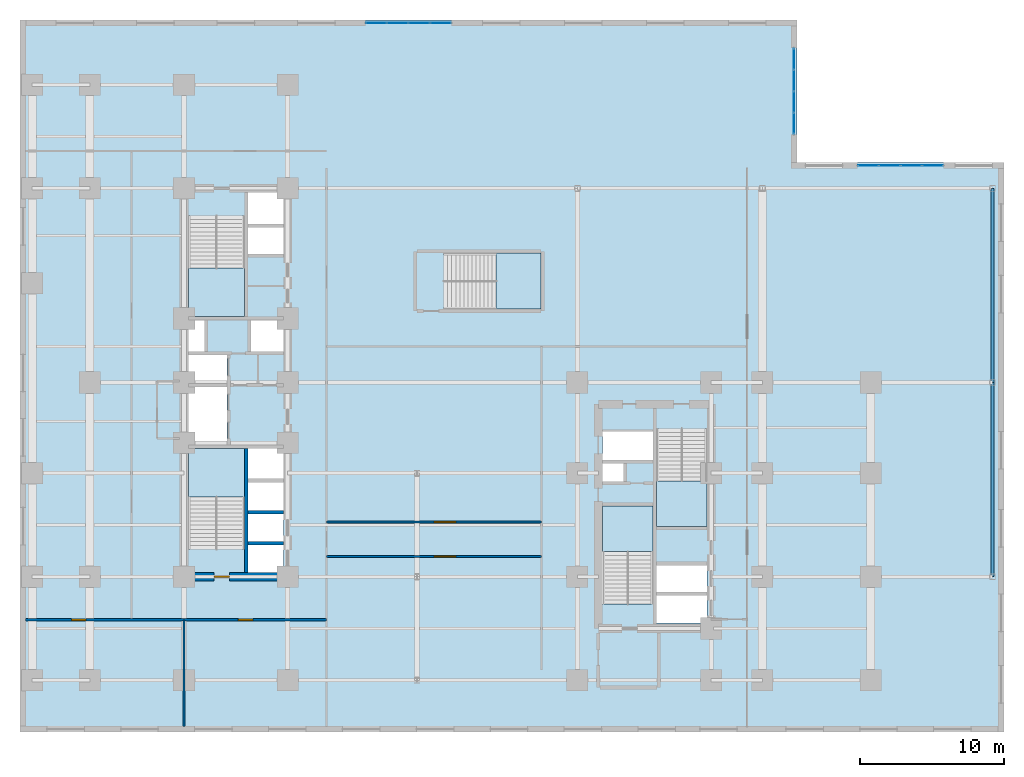
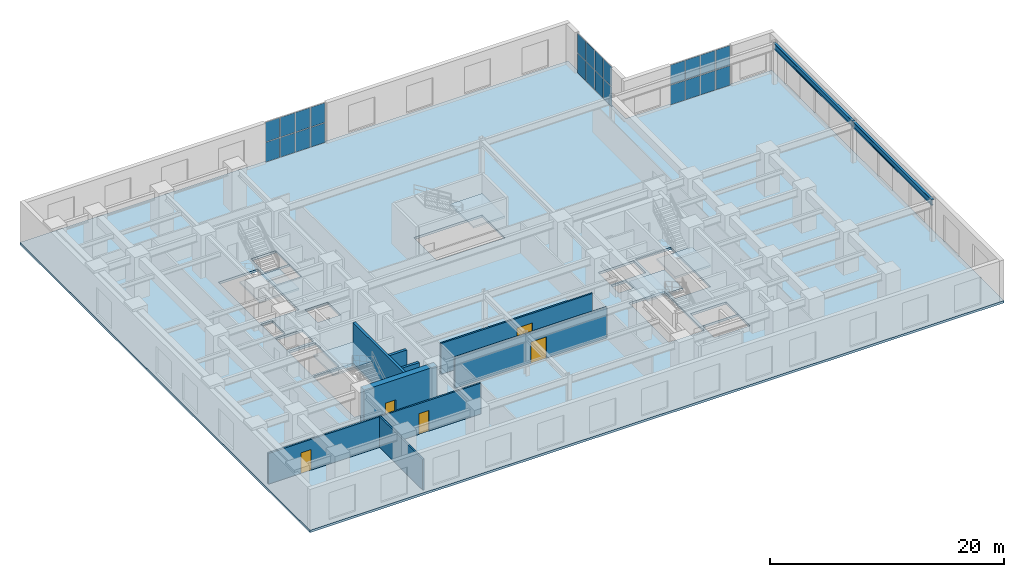
# One storey, part 8 of 15: 24 plates, 8 walls, 6 slabs, 5 doors, 2 beams, 5 openings, 8 elements without a shape of their own.
"""IFC4 building model written with IfcOpenShell, lengths in metres."""

from ifc_helpers import new_model, entity, si_unit, converted_unit, direction, frame, origin_with_axes, origin_2d_with_axis, place, context, subcontext, project, spatial, polyline, rectangle, i_section, outline, extrude, material, layer, layer_set, material_profile, profile_set, type_object, element, fill, aggregate, save


model = new_model("IFC4")

# Units and contexts
model_context = context("Model", 3, precision=1e-05, world=origin_with_axes(), true_north=direction((0.0, 1.0)))
body_context = subcontext(model_context, "Body", "Model", "MODEL_VIEW")
ifc_project = project(units=[si_unit("LENGTHUNIT", "METRE"), si_unit("AREAUNIT", "SQUARE_METRE"), si_unit("VOLUMEUNIT", "CUBIC_METRE"), converted_unit("PLANEANGLEUNIT", "DEGREE", entity("IfcPlaneAngleMeasure", 0.017453292519943295), si_unit("PLANEANGLEUNIT", "RADIAN"), dimensions=[0, 0, 0, 0, 0, 0, 0]), si_unit("MASSUNIT", "GRAM", prefix="KILO"), si_unit("THERMODYNAMICTEMPERATUREUNIT", "KELVIN")], contexts=[model_context])

# Site, building, storey
site_placement = place(None, origin_with_axes())
site = spatial("IfcSite", under=ifc_project, at=site_placement, CompositionType="ELEMENT")
building_placement = place(site_placement, origin_with_axes())
building = spatial("IfcBuilding", under=site, at=building_placement, Name="Varnlund Millrace Tower", CompositionType="ELEMENT")
storey_placement = place(building_placement, frame((0.0, 0.0, 15.3), z_axis=(0.0, 0.0, 1.0), x_axis=(1.0, 0.0, 0.0)))
storey = spatial("IfcBuildingStorey", under=building, at=storey_placement, Name="L03", CompositionType="ELEMENT", Elevation=15.3)

# Beams
ifc_material_1 = material(Name="Steel ASTM A992 Grade 50", Category="steel")
ifc_material_profile = material_profile(ifc_material_1, i_section(OverallWidth=0.228, OverallDepth=0.607, WebThickness=0.0112, FlangeThickness=0.0173, FilletRadius=0.015, at=origin_2d_with_axis()), Name="Steel ASTM A992 Grade 50")
ifc_profile_set = profile_set([ifc_material_profile], Name="Steel ASTM A992 Grade 50")
beam_type = type_object("IfcBeamType", Name="Type-Beam-W24X76", PredefinedType="BEAM", material=ifc_profile_set)
for number, where, z_axis, x_axis, name in (
    (1, (67.6, 10.8, 3.9565), (0.0, 1.0, 0.0), (-1.0, 0.0, 0.0), "Type-Beam-W24X76"),
    (2, (67.6, 24.3, 3.9565), (0.0, 1.0, 0.0), (-1.0, 0.0, 0.0), "Type-Beam-W24X76"),
):
    element("IfcBeam", number, at=place(storey_placement, frame(where, z_axis=z_axis, x_axis=x_axis)), inside=storey, type_object=beam_type, Name=name, PredefinedType="BEAM", context=body_context, shape_type="SweptSolid", body=[
        extrude(i_section(OverallWidth=0.228, OverallDepth=0.607, WebThickness=0.0112, FlangeThickness=0.0173, FilletRadius=0.015, at=origin_2d_with_axis()), origin_with_axes(), (0.0, 0.0, 1.0), 13.5),
    ])

# Curtain wall, plates
ifc_material_2 = material(Name="Thermally broken architectural bronze curtain wall", Category="aluminium")
curtain_wall_type = type_object("IfcCurtainWallType", Name="Type-CW-Sys3-PortalBridge", PredefinedType="NOTDEFINED", material=ifc_material_2)
curtain_wall_1_placement = place(storey_placement, frame((58.2, 39.39, 0.0), z_axis=(0.0, 0.0, 1.0), x_axis=(1.0, 0.0, 0.0)))
curtain_wall_1 = element("IfcCurtainWall", 3, at=curtain_wall_1_placement, inside=storey, type_object=curtain_wall_type, Name="Type-CW-Sys3-PortalBridge", PredefinedType="NOTDEFINED")
ifc_material_3 = material(Name="Low-e argon triple-glazed curtain-wall unit", Category="glass")
ifc_layer_1 = layer(ifc_material_3, 0.028, Name="Low-e argon triple-glazed curtain-wall unit")
ifc_layer_set_1 = layer_set([ifc_layer_1], Name="Low-e argon triple-glazed curtain-wall unit")
plate_type = type_object("IfcPlateType", Name="Type-CW-Panel-TripleGlazed-28", PredefinedType="CURTAIN_PANEL", material=ifc_layer_set_1)
plate_1_placement = place(storey_placement, frame((58.965, 39.39, 0.06), z_axis=(0.0, 0.0, 1.0), x_axis=(1.0, 0.0, 0.0)))
plate_1 = element("IfcPlate", 4, at=plate_1_placement, type_object=plate_type, Name="CW-03 panel 1.1", PredefinedType="CURTAIN_PANEL", context=body_context, shape_type="SweptSolid", body=[
    extrude(rectangle(XDim=1.41, YDim=0.028, at=origin_2d_with_axis()), origin_with_axes(), (0.0, 0.0, 1.0), 2.04),
])
plate_2_placement = place(storey_placement, frame((58.965, 39.39, 2.16), z_axis=(0.0, 0.0, 1.0), x_axis=(1.0, 0.0, 0.0)))
plate_2 = element("IfcPlate", 5, at=plate_2_placement, type_object=plate_type, Name="CW-03 panel 1.2", PredefinedType="CURTAIN_PANEL", context=body_context, shape_type="SweptSolid", body=[
    extrude(rectangle(XDim=1.41, YDim=0.028, at=origin_2d_with_axis()), origin_with_axes(), (0.0, 0.0, 1.0), 2.04),
])
plate_3_placement = place(storey_placement, frame((60.45, 39.39, 0.06), z_axis=(0.0, 0.0, 1.0), x_axis=(1.0, 0.0, 0.0)))
plate_3 = element("IfcPlate", 6, at=plate_3_placement, type_object=plate_type, Name="CW-03 panel 2.1", PredefinedType="CURTAIN_PANEL", context=body_context, shape_type="SweptSolid", body=[
    extrude(rectangle(XDim=1.44, YDim=0.028, at=origin_2d_with_axis()), origin_with_axes(), (0.0, 0.0, 1.0), 2.04),
])
plate_4_placement = place(storey_placement, frame((60.45, 39.39, 2.16), z_axis=(0.0, 0.0, 1.0), x_axis=(1.0, 0.0, 0.0)))
plate_4 = element("IfcPlate", 7, at=plate_4_placement, type_object=plate_type, Name="CW-03 panel 2.2", PredefinedType="CURTAIN_PANEL", context=body_context, shape_type="SweptSolid", body=[
    extrude(rectangle(XDim=1.44, YDim=0.028, at=origin_2d_with_axis()), origin_with_axes(), (0.0, 0.0, 1.0), 2.04),
])
plate_5_placement = place(storey_placement, frame((61.95, 39.39, 0.06), z_axis=(0.0, 0.0, 1.0), x_axis=(1.0, 0.0, 0.0)))
plate_5 = element("IfcPlate", 8, at=plate_5_placement, type_object=plate_type, Name="CW-03 panel 3.1", PredefinedType="CURTAIN_PANEL", context=body_context, shape_type="SweptSolid", body=[
    extrude(rectangle(XDim=1.44, YDim=0.028, at=origin_2d_with_axis()), origin_with_axes(), (0.0, 0.0, 1.0), 2.04),
])
plate_6_placement = place(storey_placement, frame((61.95, 39.39, 2.16), z_axis=(0.0, 0.0, 1.0), x_axis=(1.0, 0.0, 0.0)))
plate_6 = element("IfcPlate", 9, at=plate_6_placement, type_object=plate_type, Name="CW-03 panel 3.2", PredefinedType="CURTAIN_PANEL", context=body_context, shape_type="SweptSolid", body=[
    extrude(rectangle(XDim=1.44, YDim=0.028, at=origin_2d_with_axis()), origin_with_axes(), (0.0, 0.0, 1.0), 2.04),
])
plate_7_placement = place(storey_placement, frame((63.435, 39.39, 0.06), z_axis=(0.0, 0.0, 1.0), x_axis=(1.0, 0.0, 0.0)))
plate_7 = element("IfcPlate", 10, at=plate_7_placement, type_object=plate_type, Name="CW-03 panel 4.1", PredefinedType="CURTAIN_PANEL", context=body_context, shape_type="SweptSolid", body=[
    extrude(rectangle(XDim=1.41, YDim=0.028, at=origin_2d_with_axis()), origin_with_axes(), (0.0, 0.0, 1.0), 2.04),
])
plate_8_placement = place(storey_placement, frame((63.435, 39.39, 2.16), z_axis=(0.0, 0.0, 1.0), x_axis=(1.0, 0.0, 0.0)))
plate_8 = element("IfcPlate", 11, at=plate_8_placement, type_object=plate_type, Name="CW-03 panel 4.2", PredefinedType="CURTAIN_PANEL", context=body_context, shape_type="SweptSolid", body=[
    extrude(rectangle(XDim=1.41, YDim=0.028, at=origin_2d_with_axis()), origin_with_axes(), (0.0, 0.0, 1.0), 2.04),
])
aggregate(curtain_wall_1, [plate_1, plate_2, plate_3, plate_4, plate_5, plate_6, plate_7, plate_8])

curtain_wall_2_placement = place(storey_placement, frame((53.79, 47.55, 0.0), z_axis=(0.0, 0.0, 1.0), x_axis=(1.0, 0.0, 0.0)))
curtain_wall_2 = element("IfcCurtainWall", 12, at=curtain_wall_2_placement, inside=storey, type_object=curtain_wall_type, Name="Type-CW-Sys3-PortalBridge", PredefinedType="NOTDEFINED")
plate_9_placement = place(storey_placement, frame((53.79, 46.785, 0.06), z_axis=(0.0, 0.0, 1.0), x_axis=(0.0, -1.0, 0.0)))
plate_9 = element("IfcPlate", 13, at=plate_9_placement, type_object=plate_type, Name="CW-03 panel 1.1", PredefinedType="CURTAIN_PANEL", context=body_context, shape_type="SweptSolid", body=[
    extrude(rectangle(XDim=1.41, YDim=0.028, at=origin_2d_with_axis()), origin_with_axes(), (0.0, 0.0, 1.0), 2.04),
])
plate_10_placement = place(storey_placement, frame((53.79, 46.785, 2.16), z_axis=(0.0, 0.0, 1.0), x_axis=(0.0, -1.0, 0.0)))
plate_10 = element("IfcPlate", 14, at=plate_10_placement, type_object=plate_type, Name="CW-03 panel 1.2", PredefinedType="CURTAIN_PANEL", context=body_context, shape_type="SweptSolid", body=[
    extrude(rectangle(XDim=1.41, YDim=0.028, at=origin_2d_with_axis()), origin_with_axes(), (0.0, 0.0, 1.0), 2.04),
])
plate_11_placement = place(storey_placement, frame((53.79, 45.3, 0.06), z_axis=(0.0, 0.0, 1.0), x_axis=(0.0, -1.0, 0.0)))
plate_11 = element("IfcPlate", 15, at=plate_11_placement, type_object=plate_type, Name="CW-03 panel 2.1", PredefinedType="CURTAIN_PANEL", context=body_context, shape_type="SweptSolid", body=[
    extrude(rectangle(XDim=1.44, YDim=0.028, at=origin_2d_with_axis()), origin_with_axes(), (0.0, 0.0, 1.0), 2.04),
])
plate_12_placement = place(storey_placement, frame((53.79, 45.3, 2.16), z_axis=(0.0, 0.0, 1.0), x_axis=(0.0, -1.0, 0.0)))
plate_12 = element("IfcPlate", 16, at=plate_12_placement, type_object=plate_type, Name="CW-03 panel 2.2", PredefinedType="CURTAIN_PANEL", context=body_context, shape_type="SweptSolid", body=[
    extrude(rectangle(XDim=1.44, YDim=0.028, at=origin_2d_with_axis()), origin_with_axes(), (0.0, 0.0, 1.0), 2.04),
])
plate_13_placement = place(storey_placement, frame((53.79, 43.8, 0.06), z_axis=(0.0, 0.0, 1.0), x_axis=(0.0, -1.0, 0.0)))
plate_13 = element("IfcPlate", 17, at=plate_13_placement, type_object=plate_type, Name="CW-03 panel 3.1", PredefinedType="CURTAIN_PANEL", context=body_context, shape_type="SweptSolid", body=[
    extrude(rectangle(XDim=1.44, YDim=0.028, at=origin_2d_with_axis()), origin_with_axes(), (0.0, 0.0, 1.0), 2.04),
])
plate_14_placement = place(storey_placement, frame((53.79, 43.8, 2.16), z_axis=(0.0, 0.0, 1.0), x_axis=(0.0, -1.0, 0.0)))
plate_14 = element("IfcPlate", 18, at=plate_14_placement, type_object=plate_type, Name="CW-03 panel 3.2", PredefinedType="CURTAIN_PANEL", context=body_context, shape_type="SweptSolid", body=[
    extrude(rectangle(XDim=1.44, YDim=0.028, at=origin_2d_with_axis()), origin_with_axes(), (0.0, 0.0, 1.0), 2.04),
])
plate_15_placement = place(storey_placement, frame((53.79, 42.315, 0.06), z_axis=(0.0, 0.0, 1.0), x_axis=(0.0, -1.0, 0.0)))
plate_15 = element("IfcPlate", 19, at=plate_15_placement, type_object=plate_type, Name="CW-03 panel 4.1", PredefinedType="CURTAIN_PANEL", context=body_context, shape_type="SweptSolid", body=[
    extrude(rectangle(XDim=1.41, YDim=0.028, at=origin_2d_with_axis()), origin_with_axes(), (0.0, 0.0, 1.0), 2.04),
])
plate_16_placement = place(storey_placement, frame((53.79, 42.315, 2.16), z_axis=(0.0, 0.0, 1.0), x_axis=(0.0, -1.0, 0.0)))
plate_16 = element("IfcPlate", 20, at=plate_16_placement, type_object=plate_type, Name="CW-03 panel 4.2", PredefinedType="CURTAIN_PANEL", context=body_context, shape_type="SweptSolid", body=[
    extrude(rectangle(XDim=1.41, YDim=0.028, at=origin_2d_with_axis()), origin_with_axes(), (0.0, 0.0, 1.0), 2.04),
])
aggregate(curtain_wall_2, [plate_9, plate_10, plate_11, plate_12, plate_13, plate_14, plate_15, plate_16])

curtain_wall_3_placement = place(storey_placement, frame((24.0, 49.29, 0.0), z_axis=(0.0, 0.0, 1.0), x_axis=(1.0, 0.0, 0.0)))
curtain_wall_3 = element("IfcCurtainWall", 21, at=curtain_wall_3_placement, inside=storey, type_object=curtain_wall_type, Name="Type-CW-Sys3-PortalBridge", PredefinedType="NOTDEFINED")
plate_17_placement = place(storey_placement, frame((24.765, 49.29, 0.06), z_axis=(0.0, 0.0, 1.0), x_axis=(1.0, 0.0, 0.0)))
plate_17 = element("IfcPlate", 22, at=plate_17_placement, type_object=plate_type, Name="CW-03 panel 1.1", PredefinedType="CURTAIN_PANEL", context=body_context, shape_type="SweptSolid", body=[
    extrude(rectangle(XDim=1.41, YDim=0.028, at=origin_2d_with_axis()), origin_with_axes(), (0.0, 0.0, 1.0), 2.04),
])
plate_18_placement = place(storey_placement, frame((24.765, 49.29, 2.16), z_axis=(0.0, 0.0, 1.0), x_axis=(1.0, 0.0, 0.0)))
plate_18 = element("IfcPlate", 23, at=plate_18_placement, type_object=plate_type, Name="CW-03 panel 1.2", PredefinedType="CURTAIN_PANEL", context=body_context, shape_type="SweptSolid", body=[
    extrude(rectangle(XDim=1.41, YDim=0.028, at=origin_2d_with_axis()), origin_with_axes(), (0.0, 0.0, 1.0), 2.04),
])
plate_19_placement = place(storey_placement, frame((26.25, 49.29, 0.06), z_axis=(0.0, 0.0, 1.0), x_axis=(1.0, 0.0, 0.0)))
plate_19 = element("IfcPlate", 24, at=plate_19_placement, type_object=plate_type, Name="CW-03 panel 2.1", PredefinedType="CURTAIN_PANEL", context=body_context, shape_type="SweptSolid", body=[
    extrude(rectangle(XDim=1.44, YDim=0.028, at=origin_2d_with_axis()), origin_with_axes(), (0.0, 0.0, 1.0), 2.04),
])
plate_20_placement = place(storey_placement, frame((26.25, 49.29, 2.16), z_axis=(0.0, 0.0, 1.0), x_axis=(1.0, 0.0, 0.0)))
plate_20 = element("IfcPlate", 25, at=plate_20_placement, type_object=plate_type, Name="CW-03 panel 2.2", PredefinedType="CURTAIN_PANEL", context=body_context, shape_type="SweptSolid", body=[
    extrude(rectangle(XDim=1.44, YDim=0.028, at=origin_2d_with_axis()), origin_with_axes(), (0.0, 0.0, 1.0), 2.04),
])
plate_21_placement = place(storey_placement, frame((27.75, 49.29, 0.06), z_axis=(0.0, 0.0, 1.0), x_axis=(1.0, 0.0, 0.0)))
plate_21 = element("IfcPlate", 26, at=plate_21_placement, type_object=plate_type, Name="CW-03 panel 3.1", PredefinedType="CURTAIN_PANEL", context=body_context, shape_type="SweptSolid", body=[
    extrude(rectangle(XDim=1.44, YDim=0.028, at=origin_2d_with_axis()), origin_with_axes(), (0.0, 0.0, 1.0), 2.04),
])
plate_22_placement = place(storey_placement, frame((27.75, 49.29, 2.16), z_axis=(0.0, 0.0, 1.0), x_axis=(1.0, 0.0, 0.0)))
plate_22 = element("IfcPlate", 27, at=plate_22_placement, type_object=plate_type, Name="CW-03 panel 3.2", PredefinedType="CURTAIN_PANEL", context=body_context, shape_type="SweptSolid", body=[
    extrude(rectangle(XDim=1.44, YDim=0.028, at=origin_2d_with_axis()), origin_with_axes(), (0.0, 0.0, 1.0), 2.04),
])
plate_23_placement = place(storey_placement, frame((29.235, 49.29, 0.06), z_axis=(0.0, 0.0, 1.0), x_axis=(1.0, 0.0, 0.0)))
plate_23 = element("IfcPlate", 28, at=plate_23_placement, type_object=plate_type, Name="CW-03 panel 4.1", PredefinedType="CURTAIN_PANEL", context=body_context, shape_type="SweptSolid", body=[
    extrude(rectangle(XDim=1.41, YDim=0.028, at=origin_2d_with_axis()), origin_with_axes(), (0.0, 0.0, 1.0), 2.04),
])
plate_24_placement = place(storey_placement, frame((29.235, 49.29, 2.16), z_axis=(0.0, 0.0, 1.0), x_axis=(1.0, 0.0, 0.0)))
plate_24 = element("IfcPlate", 29, at=plate_24_placement, type_object=plate_type, Name="CW-03 panel 4.2", PredefinedType="CURTAIN_PANEL", context=body_context, shape_type="SweptSolid", body=[
    extrude(rectangle(XDim=1.41, YDim=0.028, at=origin_2d_with_axis()), origin_with_axes(), (0.0, 0.0, 1.0), 2.04),
])
aggregate(curtain_wall_3, [plate_17, plate_18, plate_19, plate_20, plate_21, plate_22, plate_23, plate_24])

# Slab
ifc_material_4 = material(Name="Concrete C60/75", Category="concrete")
ifc_layer_2 = layer(ifc_material_4, 0.24, Name="Concrete C60/75")
ifc_layer_set_2 = layer_set([ifc_layer_2], Name="Concrete C60/75")
slab_type_1 = type_object("IfcSlabType", Name="Type-Deck-Plate-Typical-240", PredefinedType="FLOOR", material=ifc_layer_set_2)
slab_1_placement = place(storey_placement, frame((0.0, 0.0, -0.24), z_axis=(0.0, 0.0, 1.0), x_axis=(1.0, 0.0, 0.0)))
element("IfcSlab", 30, at=slab_1_placement, inside=storey, type_object=slab_type_1, Name="Type-Deck-Plate-Typical-240", PredefinedType="FLOOR", context=body_context, shape_type="SweptSolid", body=[
    extrude(outline(polyline([(68.4, 39.6), (54.0, 39.6), (54.0, 49.5), (0.0, 49.5), (0.0, 0.0), (68.4, 0.0), (68.4, 39.6)]), holes=[polyline([(18.3, 11.1), (15.84, 11.1), (15.84, 13.1), (18.3, 13.1), (18.3, 11.1)]), polyline([(18.3, 13.16), (15.84, 13.16), (15.84, 15.24), (18.3, 15.24), (18.3, 13.16)]), polyline([(15.6, 12.715), (11.7, 12.715), (11.7, 19.7), (15.6, 19.7), (15.6, 12.715)]), polyline([(15.84, 15.34), (15.84, 17.46), (18.3, 17.46), (18.3, 15.34), (15.84, 15.34)]), polyline([(15.84, 17.52), (15.84, 19.7), (18.3, 19.7), (18.3, 17.52), (15.84, 17.52)]), polyline([(11.7, 23.98), (14.38, 23.98), (14.38, 19.94), (11.7, 19.94), (11.7, 23.98)]), polyline([(14.38, 24.24), (11.7, 24.24), (11.7, 26.2), (14.38, 26.2), (14.38, 24.24)]), polyline([(11.7, 26.46), (11.7, 28.65), (12.84, 28.65), (12.84, 26.46), (11.7, 26.46)]), polyline([(11.7, 28.9), (11.7, 35.885), (15.6, 35.885), (15.6, 28.9), (11.7, 28.9)]), polyline([(47.75, 7.6), (44.25, 7.6), (44.25, 9.6), (47.75, 9.6), (47.75, 7.6)]), polyline([(47.75, 9.66), (44.25, 9.66), (44.25, 11.68), (47.75, 11.68), (47.75, 9.66)]), polyline([(44.0, 8.915), (40.5, 8.915), (40.5, 15.7), (44.0, 15.7), (44.0, 8.915)]), polyline([(44.25, 14.3), (44.25, 21.085), (47.75, 21.085), (47.75, 14.3), (44.25, 14.3)]), polyline([(40.5, 17.42), (40.5, 18.72), (41.95, 18.72), (41.95, 17.42), (40.5, 17.42)]), polyline([(44.0, 18.88), (40.5, 18.88), (40.5, 20.94), (44.0, 20.94), (44.0, 18.88)]), polyline([(18.3, 26.46), (16.04, 26.46), (16.04, 28.65), (18.3, 28.65), (18.3, 26.46)]), polyline([(36.2, 29.4), (29.465, 29.4), (29.465, 33.3), (36.2, 33.3), (36.2, 29.4)]), polyline([(15.84, 33.12), (15.84, 35.18), (18.3, 35.18), (18.3, 33.12), (15.84, 33.12)]), polyline([(15.84, 35.22), (15.84, 37.5), (18.3, 37.5), (18.3, 35.22), (15.84, 35.22)])]), origin_with_axes(), (0.0, 0.0, 1.0), 0.24),
])

# Stair, slab
ifc_material_5 = material(Name="Concrete C50/60", Category="concrete")
stair_type_1 = type_object("IfcStairType", Name="Type-Stair-Dogleg-185-450", PredefinedType="HALF_TURN_STAIR", material=ifc_material_5)
stair_1_placement = place(storey_placement, origin_with_axes())
stair_1 = element("IfcStair", 31, at=stair_1_placement, inside=storey, type_object=stair_type_1, Name="Type-Stair-Dogleg-185-450", PredefinedType="HALF_TURN_STAIR")
ifc_layer_3 = layer(ifc_material_5, 0.2, Name="Concrete C50/60")
ifc_layer_set_3 = layer_set([ifc_layer_3], Name="Concrete C50/60")
slab_type_2 = type_object("IfcSlabType", Name="Type-StairLanding-200", PredefinedType="LANDING", material=ifc_layer_set_3)
slab_2_placement = place(storey_placement, frame((0.0, 0.0, 2.05), z_axis=(0.0, 0.0, 1.0), x_axis=(1.0, 0.0, 0.0)))
slab_2 = element("IfcSlab", 32, at=slab_2_placement, type_object=slab_type_2, Name="ST-A1 landing 1", PredefinedType="LANDING", context=body_context, shape_type="SweptSolid", body=[
    extrude(outline(polyline([(15.6, 16.34), (15.6, 19.7), (11.7, 19.7), (11.7, 16.34), (15.6, 16.34)])), origin_with_axes(), (0.0, 0.0, 1.0), 0.2),
])
aggregate(stair_1, [slab_2])

stair_2_placement = place(storey_placement, origin_with_axes())
stair_2 = element("IfcStair", 33, at=stair_2_placement, inside=storey, type_object=stair_type_1, Name="Type-Stair-Dogleg-185-450", PredefinedType="HALF_TURN_STAIR")
slab_3_placement = place(storey_placement, frame((0.0, 0.0, 2.05), z_axis=(0.0, 0.0, 1.0), x_axis=(1.0, 0.0, 0.0)))
slab_3 = element("IfcSlab", 34, at=slab_3_placement, type_object=slab_type_2, Name="ST-A2 landing 1", PredefinedType="LANDING", context=body_context, shape_type="SweptSolid", body=[
    extrude(outline(polyline([(11.7, 32.26), (11.7, 28.9), (15.6, 28.9), (15.6, 32.26), (11.7, 32.26)])), origin_with_axes(), (0.0, 0.0, 1.0), 0.2),
])
aggregate(stair_2, [slab_3])

stair_type_2 = type_object("IfcStairType", Name="Type-Stair-Dogleg-165-450", PredefinedType="HALF_TURN_STAIR", material=ifc_material_5)
stair_3_placement = place(storey_placement, origin_with_axes())
stair_3 = element("IfcStair", 35, at=stair_3_placement, inside=storey, type_object=stair_type_2, Name="Type-Stair-Dogleg-165-450", PredefinedType="HALF_TURN_STAIR")
slab_4_placement = place(storey_placement, frame((0.0, 0.0, 2.05), z_axis=(0.0, 0.0, 1.0), x_axis=(1.0, 0.0, 0.0)))
slab_4 = element("IfcSlab", 36, at=slab_4_placement, type_object=slab_type_2, Name="ST-B1 landing 1", PredefinedType="LANDING", context=body_context, shape_type="SweptSolid", body=[
    extrude(outline(polyline([(44.0, 12.54), (44.0, 15.7), (40.5, 15.7), (40.5, 12.54), (44.0, 12.54)])), origin_with_axes(), (0.0, 0.0, 1.0), 0.2),
])
aggregate(stair_3, [slab_4])

stair_4_placement = place(storey_placement, origin_with_axes())
stair_4 = element("IfcStair", 37, at=stair_4_placement, inside=storey, type_object=stair_type_2, Name="Type-Stair-Dogleg-165-450", PredefinedType="HALF_TURN_STAIR")
slab_5_placement = place(storey_placement, frame((0.0, 0.0, 2.05), z_axis=(0.0, 0.0, 1.0), x_axis=(1.0, 0.0, 0.0)))
slab_5 = element("IfcSlab", 38, at=slab_5_placement, type_object=slab_type_2, Name="ST-B2 landing 1", PredefinedType="LANDING", context=body_context, shape_type="SweptSolid", body=[
    extrude(outline(polyline([(44.25, 17.46), (44.25, 14.3), (47.75, 14.3), (47.75, 17.46), (44.25, 17.46)])), origin_with_axes(), (0.0, 0.0, 1.0), 0.2),
])
aggregate(stair_4, [slab_5])

stair_5_placement = place(storey_placement, origin_with_axes())
stair_5 = element("IfcStair", 39, at=stair_5_placement, inside=storey, type_object=stair_type_1, Name="Type-Stair-Dogleg-185-450", PredefinedType="HALF_TURN_STAIR")
slab_6_placement = place(storey_placement, frame((0.0, 0.0, 2.05), z_axis=(0.0, 0.0, 1.0), x_axis=(1.0, 0.0, 0.0)))
slab_6 = element("IfcSlab", 40, at=slab_6_placement, type_object=slab_type_2, Name="ST-P1 landing 1", PredefinedType="LANDING", context=body_context, shape_type="SweptSolid", body=[
    extrude(outline(polyline([(33.09, 29.4), (36.2, 29.4), (36.2, 33.3), (33.09, 33.3), (33.09, 29.4)])), origin_with_axes(), (0.0, 0.0, 1.0), 0.2),
])
aggregate(stair_5, [slab_6])

# Wall, opening, door
ifc_material_6 = material(Name="Concrete C80/95", Category="concrete")
ifc_layer_4 = layer(ifc_material_6, 0.6, Name="Concrete C80/95")
ifc_layer_set_4 = layer_set([ifc_layer_4], Name="Concrete C80/95")
wall_type_1 = type_object("IfcWallType", Name="Type-CoreWall-Shear-600-C80", PredefinedType="SHEAR", material=ifc_layer_set_4)
wall_1_placement = place(storey_placement, frame((11.4, 10.8, 0.0), z_axis=(0.0, 0.0, 1.0), x_axis=(1.0, 0.0, 0.0)))
wall_1 = element("IfcWall", 41, at=wall_1_placement, inside=storey, type_object=wall_type_1, Name="Type-CoreWall-Shear-600-C80", PredefinedType="SHEAR", context=body_context, shape_type="SweptSolid", body=[
    extrude(outline(polyline([(0.0, -0.3), (7.2, -0.3), (7.2, 0.3), (0.0, 0.3), (0.0, -0.3)])), origin_with_axes(), (0.0, 0.0, 1.0), 4.26),
])
opening_1_placement = place(wall_1_placement, frame((2.625, 0.0, 0.0), z_axis=(0.0, 0.0, 1.0), x_axis=(1.0, 0.0, 0.0)))
opening_1 = element("IfcOpeningElement", 42, at=opening_1_placement, cuts=wall_1, Name="Opening L03:DR-STA1", PredefinedType="OPENING", context=body_context, shape_type="SweptSolid", body=[
    extrude(rectangle(XDim=1.05, YDim=0.62, at=origin_2d_with_axis()), origin_with_axes(), (0.0, 0.0, 1.0), 2.15),
])
ifc_material_7 = material(Name="Fire-rated hollow steel door", Category="steel")
door_type_1 = type_object("IfcDoorType", Name="Type-FireDoor-Stair-1050X2150", OperationType="NOTDEFINED", PredefinedType="DOOR", material=ifc_material_7)
door_1_placement = place(wall_1_placement, frame((2.625, 0.0, 0.0), z_axis=(0.0, 0.0, 1.0), x_axis=(1.0, 0.0, 0.0)))
door_1 = element("IfcDoor", 43, at=door_1_placement, inside=storey, type_object=door_type_1, Name="Type-FireDoor-Stair-1050X2150", OperationType="SINGLE_SWING_LEFT", OverallHeight=2.15, OverallWidth=1.05, PredefinedType="DOOR", context=body_context, shape_type="SweptSolid", body=[
    extrude(rectangle(XDim=1.05, YDim=0.09, at=origin_2d_with_axis()), origin_with_axes(), (0.0, 0.0, 1.0), 2.15),
])
fill(opening_1, door_1)

# Wall, openings, doors
ifc_material_8 = material(Name="Fire-rated gypsum board on cold-formed steel framing", Category="steel")
ifc_layer_5 = layer(ifc_material_8, 0.16, Name="Fire-rated gypsum board on cold-formed steel framing")
ifc_layer_set_5 = layer_set([ifc_layer_5], Name="Fire-rated gypsum board on cold-formed steel framing")
wall_type_2 = type_object("IfcWallType", Name="Type-Partition-Corridor-160", PredefinedType="PARTITIONING", material=ifc_layer_set_5)
wall_2_placement = place(storey_placement, frame((0.38, 7.8, 0.0), z_axis=(0.0, 0.0, 1.0), x_axis=(1.0, 0.0, 0.0)))
wall_2 = element("IfcWall", 44, at=wall_2_placement, inside=storey, type_object=wall_type_2, Name="Type-Partition-Corridor-160", PredefinedType="PARTITIONING", context=body_context, shape_type="SweptSolid", body=[
    extrude(outline(polyline([(0.0, -0.08), (20.92, -0.08), (20.92, 0.08), (0.0, 0.08), (0.0, -0.08)])), origin_with_axes(), (0.0, 0.0, 1.0), 3.2),
])
opening_2_placement = place(wall_2_placement, frame((3.7, 0.0, 0.0), z_axis=(0.0, 0.0, 1.0), x_axis=(1.0, 0.0, 0.0)))
opening_2 = element("IfcOpeningElement", 45, at=opening_2_placement, cuts=wall_2, Name="Opening L03:DR-POD-SW1", PredefinedType="OPENING", context=body_context, shape_type="SweptSolid", body=[
    extrude(rectangle(XDim=1.0, YDim=0.18, at=origin_2d_with_axis()), origin_with_axes(), (0.0, 0.0, 1.0), 2.15),
])
opening_3_placement = place(wall_2_placement, frame((15.3, 0.0, 0.0), z_axis=(0.0, 0.0, 1.0), x_axis=(1.0, 0.0, 0.0)))
opening_3 = element("IfcOpeningElement", 46, at=opening_3_placement, cuts=wall_2, Name="Opening L03:DR-POD-SW2", PredefinedType="OPENING", context=body_context, shape_type="SweptSolid", body=[
    extrude(rectangle(XDim=1.0, YDim=0.18, at=origin_2d_with_axis()), origin_with_axes(), (0.0, 0.0, 1.0), 2.15),
])
ifc_material_9 = material(Name="Solid-core white oak and bronze frame door")
door_type_2 = type_object("IfcDoorType", Name="Type-IntDoor-Office-1000X2150", OperationType="NOTDEFINED", PredefinedType="DOOR", material=ifc_material_9)
door_2_placement = place(wall_2_placement, frame((3.7, 0.0, 0.0), z_axis=(0.0, 0.0, 1.0), x_axis=(1.0, 0.0, 0.0)))
door_2 = element("IfcDoor", 47, at=door_2_placement, inside=storey, type_object=door_type_2, Name="Type-IntDoor-Office-1000X2150", OperationType="SINGLE_SWING_LEFT", OverallHeight=2.15, OverallWidth=1.0, PredefinedType="DOOR", context=body_context, shape_type="SweptSolid", body=[
    extrude(rectangle(XDim=1.0, YDim=0.09, at=origin_2d_with_axis()), origin_with_axes(), (0.0, 0.0, 1.0), 2.15),
])
fill(opening_2, door_2)
door_3_placement = place(wall_2_placement, frame((15.3, 0.0, 0.0), z_axis=(0.0, 0.0, 1.0), x_axis=(1.0, 0.0, 0.0)))
door_3 = element("IfcDoor", 48, at=door_3_placement, inside=storey, type_object=door_type_2, Name="Type-IntDoor-Office-1000X2150", OperationType="SINGLE_SWING_RIGHT", OverallHeight=2.15, OverallWidth=1.0, PredefinedType="DOOR", context=body_context, shape_type="SweptSolid", body=[
    extrude(rectangle(XDim=1.0, YDim=0.09, at=origin_2d_with_axis()), origin_with_axes(), (0.0, 0.0, 1.0), 2.15),
])
fill(opening_3, door_3)

# Wall, opening, door
wall_3_placement = place(storey_placement, frame((21.3, 12.2, 0.0), z_axis=(0.0, 0.0, 1.0), x_axis=(1.0, 0.0, 0.0)))
wall_3 = element("IfcWall", 49, at=wall_3_placement, inside=storey, type_object=wall_type_2, Name="Type-Partition-Corridor-160", PredefinedType="PARTITIONING", context=body_context, shape_type="SweptSolid", body=[
    extrude(outline(polyline([(0.0, -0.08), (14.95, -0.08), (14.95, 0.08), (0.0, 0.08), (0.0, -0.08)])), origin_with_axes(), (0.0, 0.0, 1.0), 3.2),
])
opening_4_placement = place(wall_3_placement, frame((8.25, 0.0, 0.0), z_axis=(0.0, 0.0, 1.0), x_axis=(1.0, 0.0, 0.0)))
opening_4 = element("IfcOpeningElement", 50, at=opening_4_placement, cuts=wall_3, Name="Opening L03:DR-POD-E1S", PredefinedType="OPENING", context=body_context, shape_type="SweptSolid", body=[
    extrude(rectangle(XDim=1.5, YDim=0.18, at=origin_2d_with_axis()), origin_with_axes(), (0.0, 0.0, 1.0), 2.2),
])
ifc_material_10 = material(Name="Architectural bronze and acoustic glass double door", Category="glass")
door_type_3 = type_object("IfcDoorType", Name="Type-IntDoor-SuitePair-1500X2200", OperationType="NOTDEFINED", PredefinedType="DOOR", material=ifc_material_10)
door_4_placement = place(wall_3_placement, frame((8.25, 0.0, 0.0), z_axis=(0.0, 0.0, 1.0), x_axis=(1.0, 0.0, 0.0)))
door_4 = element("IfcDoor", 51, at=door_4_placement, inside=storey, type_object=door_type_3, Name="Type-IntDoor-SuitePair-1500X2200", OperationType="DOUBLE_DOOR_SINGLE_SWING", OverallHeight=2.2, OverallWidth=1.5, PredefinedType="DOOR", context=body_context, shape_type="SweptSolid", body=[
    extrude(rectangle(XDim=1.5, YDim=0.09, at=origin_2d_with_axis()), origin_with_axes(), (0.0, 0.0, 1.0), 2.2),
])
fill(opening_4, door_4)

wall_4_placement = place(storey_placement, frame((21.3, 14.6, 0.0), z_axis=(0.0, 0.0, 1.0), x_axis=(1.0, 0.0, 0.0)))
wall_4 = element("IfcWall", 52, at=wall_4_placement, inside=storey, type_object=wall_type_2, Name="Type-Partition-Corridor-160", PredefinedType="PARTITIONING", context=body_context, shape_type="SweptSolid", body=[
    extrude(outline(polyline([(0.0, -0.08), (14.95, -0.08), (14.95, 0.08), (0.0, 0.08), (0.0, -0.08)])), origin_with_axes(), (0.0, 0.0, 1.0), 3.2),
])
opening_5_placement = place(wall_4_placement, frame((8.25, 0.0, 0.0), z_axis=(0.0, 0.0, 1.0), x_axis=(1.0, 0.0, 0.0)))
opening_5 = element("IfcOpeningElement", 53, at=opening_5_placement, cuts=wall_4, Name="Opening L03:DR-POD-E1N", PredefinedType="OPENING", context=body_context, shape_type="SweptSolid", body=[
    extrude(rectangle(XDim=1.5, YDim=0.18, at=origin_2d_with_axis()), origin_with_axes(), (0.0, 0.0, 1.0), 2.2),
])
door_5_placement = place(wall_4_placement, frame((8.25, 0.0, 0.0), z_axis=(0.0, 0.0, 1.0), x_axis=(1.0, 0.0, 0.0)))
door_5 = element("IfcDoor", 54, at=door_5_placement, inside=storey, type_object=door_type_3, Name="Type-IntDoor-SuitePair-1500X2200", OperationType="DOUBLE_DOOR_SINGLE_SWING", OverallHeight=2.2, OverallWidth=1.5, PredefinedType="DOOR", context=body_context, shape_type="SweptSolid", body=[
    extrude(rectangle(XDim=1.5, YDim=0.09, at=origin_2d_with_axis()), origin_with_axes(), (0.0, 0.0, 1.0), 2.2),
])
fill(opening_5, door_5)

# Walls
ifc_material_11 = material(Name="Acoustic STC-50 gypsum board partition", Category="gypsum")
ifc_layer_6 = layer(ifc_material_11, 0.15, Name="Acoustic STC-50 gypsum board partition")
ifc_layer_set_6 = layer_set([ifc_layer_6], Name="Acoustic STC-50 gypsum board partition")
wall_type_3 = type_object("IfcWallType", Name="Type-Partition-Demising-150", PredefinedType="PARTITIONING", material=ifc_layer_set_6)
wall_5_placement = place(storey_placement, frame((11.4, 0.38, 0.0), z_axis=(0.0, 0.0, 1.0), x_axis=(0.0, 1.0, 0.0)))
element("IfcWall", 55, at=wall_5_placement, inside=storey, type_object=wall_type_3, Name="Type-Partition-Demising-150", PredefinedType="PARTITIONING", context=body_context, shape_type="SweptSolid", body=[
    extrude(outline(polyline([(0.0, -0.075), (7.42, -0.075), (7.42, 0.075), (0.0, 0.075), (0.0, -0.075)])), origin_with_axes(), (0.0, 0.0, 1.0), 3.2),
])
ifc_layer_7 = layer(ifc_material_4, 0.25, Name="Concrete C60/75")
ifc_layer_set_7 = layer_set([ifc_layer_7], Name="Concrete C60/75")
wall_type_4 = type_object("IfcWallType", Name="Type-ShaftWall-Fire-250", PredefinedType="SOLIDWALL", material=ifc_layer_set_7)
for number, where, z_axis, x_axis, name in (
    (56, (15.84, 13.13, 0.0), (0.0, 0.0, 1.0), (1.0, 0.0, 0.0), "Type-ShaftWall-Fire-250"),
    (57, (15.84, 15.29, 0.0), (0.0, 0.0, 1.0), (1.0, 0.0, 0.0), "Type-ShaftWall-Fire-250"),
):
    element("IfcWall", number, at=place(storey_placement, frame(where, z_axis=z_axis, x_axis=x_axis)), inside=storey, type_object=wall_type_4, Name=name, PredefinedType="SOLIDWALL", context=body_context, shape_type="SweptSolid", body=[
        extrude(outline(polyline([(0.0, -0.125), (2.46, -0.125), (2.46, 0.125), (0.0, 0.125), (0.0, -0.125)])), origin_with_axes(), (0.0, 0.0, 1.0), 3.2),
    ])
wall_type_5 = type_object("IfcWallType", Name="Type-StairWall-Shear-250", PredefinedType="SHEAR", material=ifc_layer_set_7)
wall_6_placement = place(storey_placement, frame((15.725, 11.1, 0.0), z_axis=(0.0, 0.0, 1.0), x_axis=(0.0, 1.0, 0.0)))
element("IfcWall", 58, at=wall_6_placement, inside=storey, type_object=wall_type_5, Name="Type-StairWall-Shear-250", PredefinedType="SHEAR", context=body_context, shape_type="SweptSolid", body=[
    extrude(outline(polyline([(0.0, -0.125), (8.6, -0.125), (8.6, 0.125), (0.0, 0.125), (0.0, -0.125)])), origin_with_axes(), (0.0, 0.0, 1.0), 4.26),
])

save(model, "model.ifc")
